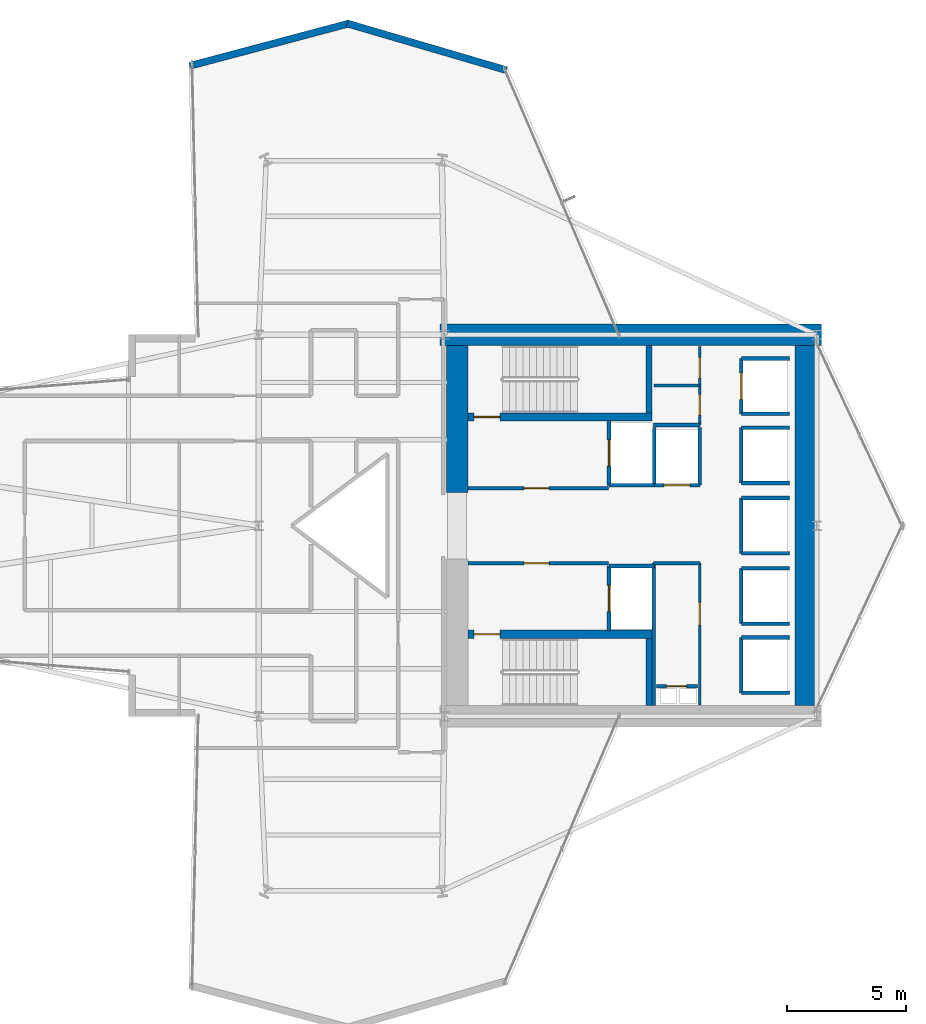
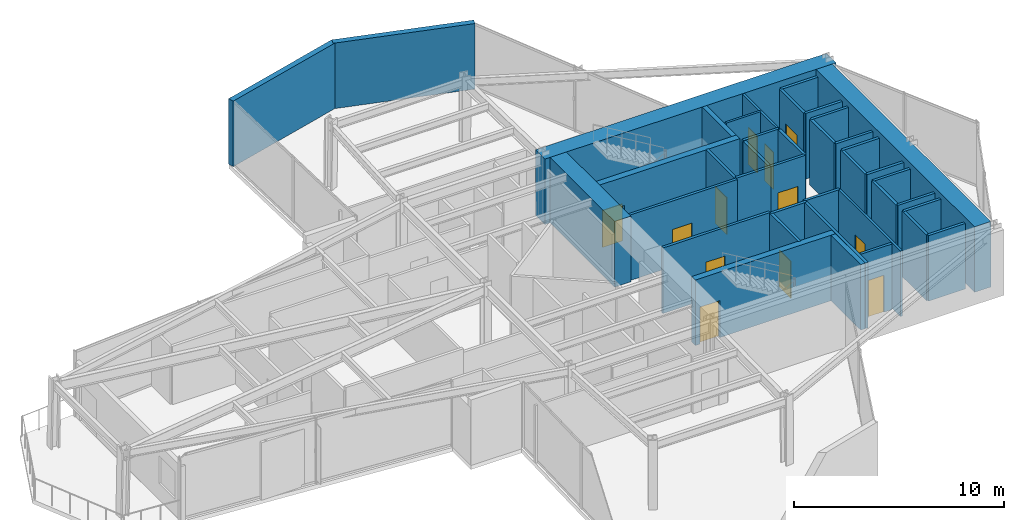
# One storey, part 24 of 27: 40 walls, 12 doors, 12 openings.
"""IFC4 building model written with IfcOpenShell, lengths in metres."""

from ifc_helpers import new_model, si_unit, direction, frame, frame_2d, origin, place, context, subcontext, project, spatial, rectangle, extrude, material, layer, layer_set, type_object, element, fill, save


model = new_model("IFC4")

# Units and contexts
model_context = context("Model", 3, precision=1e-05, world=origin(), true_north=direction((0.0, 1.0)))
body_context = subcontext(model_context, "Body", "Model", "MODEL_VIEW")
ifc_project = project(units=[si_unit("LENGTHUNIT", "METRE"), si_unit("AREAUNIT", "SQUARE_METRE"), si_unit("VOLUMEUNIT", "CUBIC_METRE"), si_unit("PLANEANGLEUNIT", "RADIAN"), si_unit("MASSUNIT", "GRAM", prefix="KILO")], contexts=[model_context])

# Site, building, storey
site_placement = place(None, origin())
site = spatial("IfcSite", under=ifc_project, at=site_placement, CompositionType="ELEMENT")
building_placement = place(site_placement, origin())
building = spatial("IfcBuilding", under=site, at=building_placement, Name="Veymaron Broadcast Tower", CompositionType="ELEMENT")
storey_placement = place(building_placement, frame((0.0, 0.0, 86.39990234375)))
storey = spatial("IfcBuildingStorey", under=building, at=storey_placement, Name="L19", CompositionType="ELEMENT", Elevation=86.39990234375)

# Walls
ifc_material_1 = material(Name="Precast concrete C40/50 with mineral-wool insulation", Category="concrete")
ifc_layer_1 = layer(ifc_material_1, 0.300048828125)
ifc_layer_set_1 = layer_set([ifc_layer_1], Name="Precast concrete C40/50 with mineral-wool insulation")
wall_type_1 = type_object("IfcWallType", Name="WALL-EXT-300", PredefinedType="STANDARD", material=ifc_layer_set_1)
wall_1_placement = place(storey_placement, frame((41.5947265625, 43.101806640625, 0.0), z_axis=(0.0, 0.0, 1.0), x_axis=(-0.959627564603, 0.281273776336, 0.0)))
element("IfcWall", 1, at=wall_1_placement, inside=storey, type_object=wall_type_1, Name="L19 notched corner facade pier 7-1", PredefinedType="STANDARD", context=body_context, shape_type="SweptSolid", body=[
    extrude(rectangle(XDim=6.961181640625, YDim=0.300048828125, at=frame_2d((3.48046875, 0.0))), origin(), (0.0, 0.0, 1.0), 3.81005859375),
])
wall_2_placement = place(storey_placement, frame((34.989990234375, 45.05859375, 0.0), z_axis=(0.0, 0.0, 1.0), x_axis=(-0.966292357614, -0.257447236569, 0.0)))
element("IfcWall", 2, at=wall_2_placement, inside=storey, type_object=wall_type_1, Name="L19 notched corner facade pier 8-1", PredefinedType="STANDARD", context=body_context, shape_type="SweptSolid", body=[
    extrude(rectangle(XDim=6.9130859375, YDim=0.300048828125, at=frame_2d((3.45654296875, 0.0))), origin(), (0.0, 0.0, 1.0), 3.81005859375),
])

# Wall, opening, door
ifc_material_2 = material(Name="Gypsum fireboard and steel stud framing", Category="steel")
ifc_layer_2 = layer(ifc_material_2, 0.14990234375)
ifc_layer_set_2 = layer_set([ifc_layer_2], Name="Gypsum fireboard and steel stud framing")
wall_type_2 = type_object("IfcWallType", Name="WALL-FIRE-150", PredefinedType="PARTITIONING", material=ifc_layer_set_2)
wall_3_placement = place(storey_placement, frame((39.97998046875, 25.574951171875, 0.0), z_axis=(0.0, 0.0, 1.0), x_axis=(1.0, 0.0, 0.0)))
wall_3 = element("IfcWall", 3, at=wall_3_placement, inside=storey, type_object=wall_type_2, Name="L19 partition IW-L19-FFLN-S", PredefinedType="PARTITIONING", context=body_context, shape_type="SweptSolid", body=[
    extrude(rectangle(XDim=5.89990234375, YDim=0.14990234375, at=frame_2d((2.949951171875, 0.0))), origin(), (0.0, 0.0, 1.0), 3.81005859375),
])
opening_1_placement = place(wall_3_placement, frame((2.35009765625, 0.0, 0.0)))
opening_1 = element("IfcOpeningElement", 4, at=opening_1_placement, cuts=wall_3, Name="Opening ID-FL1", PredefinedType="OPENING", context=body_context, shape_type="SweptSolid", body=[
    extrude(rectangle(XDim=1.050048828125, YDim=2.14990234375, at=frame_2d((0.52490234375, 1.074951171875))), frame((0.0, 0.0849609375, 0.0), z_axis=(0.0, -1.0, 0.0), x_axis=(1.0, 0.0, 0.0)), (0.0, 0.0, 1.0), 0.169921875),
])
ifc_material_3 = material(Name="Fire-rated painted hollow steel ASTM A653", Category="steel")
door_type_1 = type_object("IfcDoorType", Name="DOOR-FIRE-1050", OperationType="NOTDEFINED", PredefinedType="DOOR", material=ifc_material_3)
door_1_placement = place(opening_1_placement, origin())
door_1 = element("IfcDoor", 5, at=door_1_placement, inside=storey, type_object=door_type_1, Name="L19 door DR-L19-FFLN", OperationType="SINGLE_SWING_LEFT", OverallHeight=2.14990234375, OverallWidth=1.050048828125, PredefinedType="DOOR", context=body_context, shape_type="SweptSolid", body=[
    extrude(rectangle(XDim=1.050048828125, YDim=2.14990234375, at=frame_2d((0.52490234375, 1.074951171875))), frame((0.0, 0.02490234375, 0.0), z_axis=(0.0, -1.0, 0.0), x_axis=(1.0, 0.0, 0.0)), (0.0, 0.0, 1.0), 0.050048828125),
])
fill(opening_1, door_1)

wall_4_placement = place(storey_placement, frame((39.97998046875, 22.425048828125, 0.0), z_axis=(0.0, 0.0, 1.0), x_axis=(1.0, 0.0, 0.0)))
wall_4 = element("IfcWall", 6, at=wall_4_placement, inside=storey, type_object=wall_type_2, Name="L19 partition IW-L19-FFLS-N", PredefinedType="PARTITIONING", context=body_context, shape_type="SweptSolid", body=[
    extrude(rectangle(XDim=5.89990234375, YDim=0.14990234375, at=frame_2d((2.949951171875, 0.0))), origin(), (0.0, 0.0, 1.0), 3.81005859375),
])
opening_2_placement = place(wall_4_placement, frame((2.35009765625, 0.0, 0.0)))
opening_2 = element("IfcOpeningElement", 7, at=opening_2_placement, cuts=wall_4, Name="Opening ID-FL1", PredefinedType="OPENING", context=body_context, shape_type="SweptSolid", body=[
    extrude(rectangle(XDim=1.050048828125, YDim=2.14990234375, at=frame_2d((0.52490234375, 1.074951171875))), frame((0.0, 0.0849609375, 0.0), z_axis=(0.0, -1.0, 0.0), x_axis=(1.0, 0.0, 0.0)), (0.0, 0.0, 1.0), 0.169921875),
])
door_2_placement = place(opening_2_placement, frame((1.050048828125, 0.0, 0.0), z_axis=(0.0, 0.0, 1.0), x_axis=(-1.0, 0.0, 0.0)))
door_2 = element("IfcDoor", 8, at=door_2_placement, inside=storey, type_object=door_type_1, Name="L19 door DR-L19-FFLS", OperationType="SINGLE_SWING_RIGHT", OverallHeight=2.14990234375, OverallWidth=1.050048828125, PredefinedType="DOOR", context=body_context, shape_type="SweptSolid", body=[
    extrude(rectangle(XDim=1.050048828125, YDim=2.14990234375, at=frame_2d((0.52490234375, 1.074951171875))), frame((0.0, 0.02490234375, 0.0), z_axis=(0.0, -1.0, 0.0), x_axis=(1.0, 0.0, 0.0)), (0.0, 0.0, 1.0), 0.050048828125),
])
fill(opening_2, door_2)

wall_5_placement = place(storey_placement, frame((45.89501953125, 25.68994140625, 0.0), z_axis=(0.0, 0.0, 1.0), x_axis=(0.0, 1.0, 0.0)))
wall_5 = element("IfcWall", 9, at=wall_5_placement, inside=storey, type_object=wall_type_2, Name="L19 partition IW-L19-SHW-FFL-1", PredefinedType="PARTITIONING", context=body_context, shape_type="SweptSolid", body=[
    extrude(rectangle(XDim=2.719970703125, YDim=0.14990234375, at=frame_2d((1.35986328125, 0.0))), origin(), (0.0, 0.0, 1.0), 3.81005859375),
])
opening_3_placement = place(wall_5_placement, frame((0.81005859375, 0.0, 0.0)))
opening_3 = element("IfcOpeningElement", 10, at=opening_3_placement, cuts=wall_5, Name="Opening LD", PredefinedType="OPENING", context=body_context, shape_type="SweptSolid", body=[
    extrude(rectangle(XDim=1.10009765625, YDim=2.14990234375, at=frame_2d((0.550048828125, 1.074951171875))), frame((0.0, 0.0849609375, 0.0), z_axis=(0.0, -1.0, 0.0), x_axis=(1.0, 0.0, 0.0)), (0.0, 0.0, 1.0), 0.169921875),
])
ifc_material_4 = material(Name="Brushed stainless steel AISI 304", Category="steel")
door_type_2 = type_object("IfcDoorType", Name="DOOR-LIFT-1100", OperationType="DOUBLE_DOOR_SLIDING", PredefinedType="DOOR", material=ifc_material_4)
door_3_placement = place(opening_3_placement, frame((1.10009765625, 0.0, 0.0), z_axis=(0.0, 0.0, 1.0), x_axis=(-1.0, 0.0, 0.0)))
door_3 = element("IfcDoor", 11, at=door_3_placement, inside=storey, type_object=door_type_2, Name="L19 door LD-L19-FFL-1", OperationType="DOUBLE_DOOR_SLIDING", OverallHeight=2.14990234375, OverallWidth=1.10009765625, PredefinedType="DOOR", context=body_context, shape_type="SweptSolid", body=[
    extrude(rectangle(XDim=1.10009765625, YDim=2.14990234375, at=frame_2d((0.550048828125, 1.074951171875))), frame((0.0, 0.02490234375, 0.0), z_axis=(0.0, -1.0, 0.0), x_axis=(1.0, 0.0, 0.0)), (0.0, 0.0, 1.0), 0.050048828125),
])
fill(opening_3, door_3)

# Wall
wall_6_placement = place(storey_placement, frame((45.89501953125, 25.68994140625, 0.0), z_axis=(0.0, 0.0, 1.0), x_axis=(1.0, 0.0, 0.0)))
element("IfcWall", 12, at=wall_6_placement, inside=storey, type_object=wall_type_2, Name="L19 partition IW-L19-SHS-FFL-1", PredefinedType="PARTITIONING", context=body_context, shape_type="SweptSolid", body=[
    extrude(rectangle(XDim=1.9150390625, YDim=0.14990234375, at=frame_2d((0.95751953125, 0.0))), origin(), (0.0, 0.0, 1.0), 3.81005859375),
])

# Wall, opening, door
wall_7_placement = place(storey_placement, frame((45.89501953125, 19.590087890625, 0.0), z_axis=(0.0, 0.0, 1.0), x_axis=(0.0, 1.0, 0.0)))
wall_7 = element("IfcWall", 13, at=wall_7_placement, inside=storey, type_object=wall_type_2, Name="L19 partition IW-L19-SHW-FFL-2", PredefinedType="PARTITIONING", context=body_context, shape_type="SweptSolid", body=[
    extrude(rectangle(XDim=2.719970703125, YDim=0.14990234375, at=frame_2d((1.35986328125, 0.0))), origin(), (0.0, 0.0, 1.0), 3.81005859375),
])
opening_4_placement = place(wall_7_placement, frame((0.81005859375, 0.0, 0.0)))
opening_4 = element("IfcOpeningElement", 14, at=opening_4_placement, cuts=wall_7, Name="Opening LD", PredefinedType="OPENING", context=body_context, shape_type="SweptSolid", body=[
    extrude(rectangle(XDim=1.10009765625, YDim=2.14990234375, at=frame_2d((0.550048828125, 1.074951171875))), frame((0.0, 0.0849609375, 0.0), z_axis=(0.0, -1.0, 0.0), x_axis=(1.0, 0.0, 0.0)), (0.0, 0.0, 1.0), 0.169921875),
])
door_4_placement = place(opening_4_placement, frame((1.10009765625, 0.0, 0.0), z_axis=(0.0, 0.0, 1.0), x_axis=(-1.0, 0.0, 0.0)))
door_4 = element("IfcDoor", 15, at=door_4_placement, inside=storey, type_object=door_type_2, Name="L19 door LD-L19-FFL-2", OperationType="DOUBLE_DOOR_SLIDING", OverallHeight=2.14990234375, OverallWidth=1.10009765625, PredefinedType="DOOR", context=body_context, shape_type="SweptSolid", body=[
    extrude(rectangle(XDim=1.10009765625, YDim=2.14990234375, at=frame_2d((0.550048828125, 1.074951171875))), frame((0.0, 0.02490234375, 0.0), z_axis=(0.0, -1.0, 0.0), x_axis=(1.0, 0.0, 0.0)), (0.0, 0.0, 1.0), 0.050048828125),
])
fill(opening_4, door_4)

# Wall
wall_8_placement = place(storey_placement, frame((45.89501953125, 22.31005859375, 0.0), z_axis=(0.0, 0.0, 1.0), x_axis=(1.0, 0.0, 0.0)))
element("IfcWall", 16, at=wall_8_placement, inside=storey, type_object=wall_type_2, Name="L19 partition IW-L19-SHN-FFL-2", PredefinedType="PARTITIONING", context=body_context, shape_type="SweptSolid", body=[
    extrude(rectangle(XDim=1.9150390625, YDim=0.14990234375, at=frame_2d((0.95751953125, 0.0))), origin(), (0.0, 0.0, 1.0), 3.81005859375),
])

# Wall, opening, door
wall_9_placement = place(storey_placement, frame((47.7900390625, 25.695068359375, 0.0), z_axis=(0.0, 0.0, 1.0), x_axis=(1.0, 0.0, 0.0)))
wall_9 = element("IfcWall", 17, at=wall_9_placement, inside=storey, type_object=wall_type_2, Name="L19 partition IW-L19-SHS-SL-1", PredefinedType="PARTITIONING", context=body_context, shape_type="SweptSolid", body=[
    extrude(rectangle(XDim=1.919921875, YDim=0.14990234375, at=frame_2d((0.9599609375, 0.0))), origin(), (0.0, 0.0, 1.0), 3.81005859375),
])
opening_5_placement = place(wall_9_placement, frame((0.409912109375, 0.0, 0.0)))
opening_5 = element("IfcOpeningElement", 18, at=opening_5_placement, cuts=wall_9, Name="Opening LD", PredefinedType="OPENING", context=body_context, shape_type="SweptSolid", body=[
    extrude(rectangle(XDim=1.10009765625, YDim=2.14990234375, at=frame_2d((0.550048828125, 1.074951171875))), frame((0.0, 0.0849609375, 0.0), z_axis=(0.0, -1.0, 0.0), x_axis=(1.0, 0.0, 0.0)), (0.0, 0.0, 1.0), 0.169921875),
])
door_5_placement = place(opening_5_placement, frame((1.10009765625, 0.0, 0.0), z_axis=(0.0, 0.0, 1.0), x_axis=(-1.0, 0.0, 0.0)))
door_5 = element("IfcDoor", 19, at=door_5_placement, inside=storey, type_object=door_type_2, Name="L19 door LD-L19-SL-1", OperationType="DOUBLE_DOOR_SLIDING", OverallHeight=2.14990234375, OverallWidth=1.10009765625, PredefinedType="DOOR", context=body_context, shape_type="SweptSolid", body=[
    extrude(rectangle(XDim=1.10009765625, YDim=2.14990234375, at=frame_2d((0.550048828125, 1.074951171875))), frame((0.0, 0.02490234375, 0.0), z_axis=(0.0, -1.0, 0.0), x_axis=(1.0, 0.0, 0.0)), (0.0, 0.0, 1.0), 0.050048828125),
])
fill(opening_5, door_5)

# Walls
for number, where, z_axis, x_axis, name in (
    (20, (47.7900390625, 25.695068359375, 0.0), (0.0, 0.0, 1.0), (0.0, 1.0, 0.0), "L19 partition IW-L19-SHW-SL-1"),
    (21, (49.7099609375, 25.695068359375, 0.0), (0.0, 0.0, 1.0), (0.0, 1.0, 0.0), "L19 partition IW-L19-SHE-SL-1"),
):
    element("IfcWall", number, at=place(storey_placement, frame(where, z_axis=z_axis, x_axis=x_axis)), inside=storey, type_object=wall_type_2, Name=name, PredefinedType="PARTITIONING", context=body_context, shape_type="SweptSolid", body=[
        extrude(rectangle(XDim=2.4150390625, YDim=0.14990234375, at=frame_2d((1.20751953125, 0.0))), origin(), (0.0, 0.0, 1.0), 3.81005859375),
    ])

# Wall, opening, door
wall_10_placement = place(storey_placement, frame((51.445068359375, 28.68994140625, 0.0), z_axis=(0.0, 0.0, 1.0), x_axis=(0.0, 1.0, 0.0)))
wall_10 = element("IfcWall", 22, at=wall_10_placement, inside=storey, type_object=wall_type_2, Name="L19 partition IW-L19-SHW-PL1", PredefinedType="PARTITIONING", context=body_context, shape_type="SweptSolid", body=[
    extrude(rectangle(XDim=2.320068359375, YDim=0.14990234375, at=frame_2d((1.16015625, 0.0))), origin(), (0.0, 0.0, 1.0), 3.81005859375),
])
opening_6_placement = place(wall_10_placement, frame((0.610107421875, 0.0, 0.0)))
opening_6 = element("IfcOpeningElement", 23, at=opening_6_placement, cuts=wall_10, Name="Opening LD", PredefinedType="OPENING", context=body_context, shape_type="SweptSolid", body=[
    extrude(rectangle(XDim=1.10009765625, YDim=2.14990234375, at=frame_2d((0.550048828125, 1.074951171875))), frame((0.0, 0.0849609375, 0.0), z_axis=(0.0, -1.0, 0.0), x_axis=(1.0, 0.0, 0.0)), (0.0, 0.0, 1.0), 0.169921875),
])
door_6_placement = place(opening_6_placement, frame((1.10009765625, 0.0, 0.0), z_axis=(0.0, 0.0, 1.0), x_axis=(-1.0, 0.0, 0.0)))
door_6 = element("IfcDoor", 24, at=door_6_placement, inside=storey, type_object=door_type_2, Name="L19 door LD-L19-PL1", OperationType="DOUBLE_DOOR_SLIDING", OverallHeight=2.14990234375, OverallWidth=1.10009765625, PredefinedType="DOOR", context=body_context, shape_type="SweptSolid", body=[
    extrude(rectangle(XDim=1.10009765625, YDim=2.14990234375, at=frame_2d((0.550048828125, 1.074951171875))), frame((0.0, 0.02490234375, 0.0), z_axis=(0.0, -1.0, 0.0), x_axis=(1.0, 0.0, 0.0)), (0.0, 0.0, 1.0), 0.050048828125),
])
fill(opening_6, door_6)

# Walls
for number, where, z_axis, x_axis, name in (
    (25, (51.445068359375, 28.68994140625, 0.0), (0.0, 0.0, 1.0), (1.0, 0.0, 0.0), "L19 partition IW-L19-SHS-PL1"),
    (26, (51.445068359375, 31.010009765625, 0.0), (0.0, 0.0, 1.0), (1.0, 0.0, 0.0), "L19 partition IW-L19-SHN-PL1"),
):
    element("IfcWall", number, at=place(storey_placement, frame(where, z_axis=z_axis, x_axis=x_axis)), inside=storey, type_object=wall_type_2, Name=name, PredefinedType="PARTITIONING", context=body_context, shape_type="SweptSolid", body=[
        extrude(rectangle(XDim=2.014892578125, YDim=0.14990234375, at=frame_2d((1.00732421875, 0.0))), origin(), (0.0, 0.0, 1.0), 3.81005859375),
    ])
wall_11_placement = place(storey_placement, frame((51.445068359375, 25.7900390625, 0.0), z_axis=(0.0, 0.0, 1.0), x_axis=(0.0, 1.0, 0.0)))
element("IfcWall", 27, at=wall_11_placement, inside=storey, type_object=wall_type_2, Name="L19 partition IW-L19-SHW-PM1", PredefinedType="PARTITIONING", context=body_context, shape_type="SweptSolid", body=[
    extrude(rectangle(XDim=2.320068359375, YDim=0.14990234375, at=frame_2d((1.16015625, 0.0))), origin(), (0.0, 0.0, 1.0), 3.81005859375),
])
for number, where, z_axis, x_axis, name in (
    (28, (51.445068359375, 25.7900390625, 0.0), (0.0, 0.0, 1.0), (1.0, 0.0, 0.0), "L19 partition IW-L19-SHS-PM1"),
    (29, (51.445068359375, 28.110107421875, 0.0), (0.0, 0.0, 1.0), (1.0, 0.0, 0.0), "L19 partition IW-L19-SHN-PM1"),
):
    element("IfcWall", number, at=place(storey_placement, frame(where, z_axis=z_axis, x_axis=x_axis)), inside=storey, type_object=wall_type_2, Name=name, PredefinedType="PARTITIONING", context=body_context, shape_type="SweptSolid", body=[
        extrude(rectangle(XDim=2.014892578125, YDim=0.14990234375, at=frame_2d((1.00732421875, 0.0))), origin(), (0.0, 0.0, 1.0), 3.81005859375),
    ])
wall_12_placement = place(storey_placement, frame((51.445068359375, 19.889892578125, 0.0), z_axis=(0.0, 0.0, 1.0), x_axis=(0.0, 1.0, 0.0)))
element("IfcWall", 30, at=wall_12_placement, inside=storey, type_object=wall_type_2, Name="L19 partition IW-L19-SHW-PM2", PredefinedType="PARTITIONING", context=body_context, shape_type="SweptSolid", body=[
    extrude(rectangle(XDim=2.320068359375, YDim=0.14990234375, at=frame_2d((1.16015625, 0.0))), origin(), (0.0, 0.0, 1.0), 3.81005859375),
])
for number, where, z_axis, x_axis, name in (
    (31, (51.445068359375, 19.889892578125, 0.0), (0.0, 0.0, 1.0), (1.0, 0.0, 0.0), "L19 partition IW-L19-SHS-PM2"),
    (32, (51.445068359375, 22.2099609375, 0.0), (0.0, 0.0, 1.0), (1.0, 0.0, 0.0), "L19 partition IW-L19-SHN-PM2"),
):
    element("IfcWall", number, at=place(storey_placement, frame(where, z_axis=z_axis, x_axis=x_axis)), inside=storey, type_object=wall_type_2, Name=name, PredefinedType="PARTITIONING", context=body_context, shape_type="SweptSolid", body=[
        extrude(rectangle(XDim=2.014892578125, YDim=0.14990234375, at=frame_2d((1.00732421875, 0.0))), origin(), (0.0, 0.0, 1.0), 3.81005859375),
    ])
wall_13_placement = place(storey_placement, frame((51.445068359375, 22.840087890625, 0.0), z_axis=(0.0, 0.0, 1.0), x_axis=(0.0, 1.0, 0.0)))
element("IfcWall", 33, at=wall_13_placement, inside=storey, type_object=wall_type_2, Name="L19 partition IW-L19-SHW-PM3", PredefinedType="PARTITIONING", context=body_context, shape_type="SweptSolid", body=[
    extrude(rectangle(XDim=2.31982421875, YDim=0.14990234375, at=frame_2d((1.159912109375, 0.0))), origin(), (0.0, 0.0, 1.0), 3.81005859375),
])
for number, where, z_axis, x_axis, name in (
    (34, (51.445068359375, 22.840087890625, 0.0), (0.0, 0.0, 1.0), (1.0, 0.0, 0.0), "L19 partition IW-L19-SHS-PM3"),
    (35, (51.445068359375, 25.159912109375, 0.0), (0.0, 0.0, 1.0), (1.0, 0.0, 0.0), "L19 partition IW-L19-SHN-PM3"),
):
    element("IfcWall", number, at=place(storey_placement, frame(where, z_axis=z_axis, x_axis=x_axis)), inside=storey, type_object=wall_type_2, Name=name, PredefinedType="PARTITIONING", context=body_context, shape_type="SweptSolid", body=[
        extrude(rectangle(XDim=2.014892578125, YDim=0.14990234375, at=frame_2d((1.00732421875, 0.0))), origin(), (0.0, 0.0, 1.0), 3.81005859375),
    ])
wall_14_placement = place(storey_placement, frame((51.445068359375, 16.989990234375, 0.0), z_axis=(0.0, 0.0, 1.0), x_axis=(0.0, 1.0, 0.0)))
element("IfcWall", 36, at=wall_14_placement, inside=storey, type_object=wall_type_2, Name="L19 partition IW-L19-SHW-PH1", PredefinedType="PARTITIONING", context=body_context, shape_type="SweptSolid", body=[
    extrude(rectangle(XDim=2.320068359375, YDim=0.14990234375, at=frame_2d((1.16015625, 0.0))), origin(), (0.0, 0.0, 1.0), 3.81005859375),
])
for number, where, z_axis, x_axis, name in (
    (37, (51.445068359375, 16.989990234375, 0.0), (0.0, 0.0, 1.0), (1.0, 0.0, 0.0), "L19 partition IW-L19-SHS-PH1"),
    (38, (51.445068359375, 19.31005859375, 0.0), (0.0, 0.0, 1.0), (1.0, 0.0, 0.0), "L19 partition IW-L19-SHN-PH1"),
):
    element("IfcWall", number, at=place(storey_placement, frame(where, z_axis=z_axis, x_axis=x_axis)), inside=storey, type_object=wall_type_2, Name=name, PredefinedType="PARTITIONING", context=body_context, shape_type="SweptSolid", body=[
        extrude(rectangle(XDim=2.014892578125, YDim=0.14990234375, at=frame_2d((1.00732421875, 0.0))), origin(), (0.0, 0.0, 1.0), 3.81005859375),
    ])

# Wall, opening, door
wall_15_placement = place(storey_placement, frame((47.8798828125, 17.260009765625, 0.0), z_axis=(0.0, 0.0, 1.0), x_axis=(1.0, 0.0, 0.0)))
wall_15 = element("IfcWall", 39, at=wall_15_placement, inside=storey, type_object=wall_type_2, Name="L19 partition IW-L19-RIS-N", PredefinedType="PARTITIONING", context=body_context, shape_type="SweptSolid", body=[
    extrude(rectangle(XDim=1.72021484375, YDim=0.14990234375, at=frame_2d((0.860107421875, 0.0))), origin(), (0.0, 0.0, 1.0), 3.81005859375),
])
opening_7_placement = place(wall_15_placement, frame((0.419921875, 0.0, 0.0)))
opening_7 = element("IfcOpeningElement", 40, at=opening_7_placement, cuts=wall_15, Name="Opening ID-RS1", PredefinedType="OPENING", context=body_context, shape_type="SweptSolid", body=[
    extrude(rectangle(XDim=0.85009765625, YDim=2.14990234375, at=frame_2d((0.425048828125, 1.074951171875))), frame((0.0, 0.0849609375, 0.0), z_axis=(0.0, -1.0, 0.0), x_axis=(1.0, 0.0, 0.0)), (0.0, 0.0, 1.0), 0.169921875),
])
ifc_material_5 = material(Name="Fire-rated powder-coated steel riser leaf", Category="steel")
door_type_3 = type_object("IfcDoorType", Name="DOOR-RIS-850", OperationType="NOTDEFINED", PredefinedType="TRAPDOOR", material=ifc_material_5)
door_7_placement = place(opening_7_placement, origin())
door_7 = element("IfcDoor", 41, at=door_7_placement, inside=storey, type_object=door_type_3, Name="L19 door DR-L19-RIS", OperationType="SINGLE_SWING_LEFT", OverallHeight=2.14990234375, OverallWidth=0.85009765625, PredefinedType="TRAPDOOR", context=body_context, shape_type="SweptSolid", body=[
    extrude(rectangle(XDim=0.85009765625, YDim=2.14990234375, at=frame_2d((0.425048828125, 1.074951171875))), frame((0.0, 0.02490234375, 0.0), z_axis=(0.0, -1.0, 0.0), x_axis=(1.0, 0.0, 0.0)), (0.0, 0.0, 1.0), 0.050048828125),
])
fill(opening_7, door_7)

# Walls
wall_16_placement = place(storey_placement, frame((47.760009765625, 22.425048828125, 0.0), z_axis=(0.0, 0.0, 1.0), x_axis=(1.0, 0.0, 0.0)))
element("IfcWall", 42, at=wall_16_placement, inside=storey, type_object=wall_type_2, Name="L19 partition IW-L19-SM-N", PredefinedType="PARTITIONING", context=body_context, shape_type="SweptSolid", body=[
    extrude(rectangle(XDim=1.9599609375, YDim=0.14990234375, at=frame_2d((0.97998046875, 0.0))), origin(), (0.0, 0.0, 1.0), 3.81005859375),
])
wall_17_placement = place(storey_placement, frame((47.780029296875, 16.449951171875, 0.0), z_axis=(0.0, 0.0, 1.0), x_axis=(0.0, 1.0, 0.0)))
element("IfcWall", 43, at=wall_17_placement, inside=storey, type_object=wall_type_2, Name="L19 partition IW-L19-SM-W", PredefinedType="PARTITIONING", context=body_context, shape_type="SweptSolid", body=[
    extrude(rectangle(XDim=5.97509765625, YDim=0.14990234375, at=frame_2d((2.987548828125, 0.0))), origin(), (0.0, 0.0, 1.0), 3.81005859375),
])
wall_18_placement = place(storey_placement, frame((47.760009765625, 28.219970703125, 0.0), z_axis=(0.0, 0.0, 1.0), x_axis=(1.0, 0.0, 0.0)))
element("IfcWall", 44, at=wall_18_placement, inside=storey, type_object=wall_type_2, Name="L19 partition IW-L19-NM-S", PredefinedType="PARTITIONING", context=body_context, shape_type="SweptSolid", body=[
    extrude(rectangle(XDim=1.9599609375, YDim=0.14990234375, at=frame_2d((0.97998046875, 0.0))), origin(), (0.0, 0.0, 1.0), 3.81005859375),
])

# Wall, opening, door
ifc_material_6 = material(Name="Acoustic gypsum board and galvanized stud", Category="gypsum")
ifc_layer_3 = layer(ifc_material_6, 0.1201171875)
ifc_layer_set_3 = layer_set([ifc_layer_3], Name="Acoustic gypsum board and galvanized stud")
wall_type_3 = type_object("IfcWallType", Name="WALL-PART-120", PredefinedType="PARTITIONING", material=ifc_layer_set_3)
wall_19_placement = place(storey_placement, frame((49.699951171875, 16.47998046875, 0.0), z_axis=(0.0, 0.0, 1.0), x_axis=(0.0, 1.0, 0.0)))
wall_19 = element("IfcWall", 45, at=wall_19_placement, inside=storey, type_object=wall_type_3, Name="L19 partition IW-L19-SM-E", PredefinedType="PARTITIONING", context=body_context, shape_type="SweptSolid", body=[
    extrude(rectangle(XDim=5.945068359375, YDim=0.1201171875, at=frame_2d((2.97265625, 0.0))), origin(), (0.0, 0.0, 1.0), 3.81005859375),
])
opening_8_placement = place(wall_19_placement, frame((3.35009765625, 0.0, 0.0)))
opening_8 = element("IfcOpeningElement", 46, at=opening_8_placement, cuts=wall_19, Name="Opening ID-RM1", PredefinedType="OPENING", context=body_context, shape_type="SweptSolid", body=[
    extrude(rectangle(XDim=0.949951171875, YDim=2.14990234375, at=frame_2d((0.47509765625, 1.074951171875))), frame((0.0, 0.070068359375, 0.0), z_axis=(0.0, -1.0, 0.0), x_axis=(1.0, 0.0, 0.0)), (0.0, 0.0, 1.0), 0.14013671875),
])
ifc_material_7 = material(Name="Acoustic solid-core European oak veneer timber", Category="wood")
door_type_4 = type_object("IfcDoorType", Name="DOOR-INT-950", OperationType="NOTDEFINED", PredefinedType="DOOR", material=ifc_material_7)
door_8_placement = place(opening_8_placement, frame((0.949951171875, 0.0, 0.0), z_axis=(0.0, 0.0, 1.0), x_axis=(-1.0, 0.0, 0.0)))
door_8 = element("IfcDoor", 47, at=door_8_placement, inside=storey, type_object=door_type_4, Name="L19 door DR-L19-AWC", OperationType="SINGLE_SWING_LEFT", OverallHeight=2.14990234375, OverallWidth=0.949951171875, PredefinedType="DOOR", context=body_context, shape_type="SweptSolid", body=[
    extrude(rectangle(XDim=0.949951171875, YDim=2.14990234375, at=frame_2d((0.47509765625, 1.074951171875))), frame((0.0, 0.02490234375, 0.0), z_axis=(0.0, -1.0, 0.0), x_axis=(1.0, 0.0, 0.0)), (0.0, 0.0, 1.0), 0.050048828125),
])
fill(opening_8, door_8)

# Wall
wall_20_placement = place(storey_placement, frame((47.780029296875, 29.8798828125, 0.0), z_axis=(0.0, 0.0, 1.0), x_axis=(1.0, 0.0, 0.0)))
element("IfcWall", 48, at=wall_20_placement, inside=storey, type_object=wall_type_3, Name="L19 partition IW-L19-NM-M", PredefinedType="PARTITIONING", context=body_context, shape_type="SweptSolid", body=[
    extrude(rectangle(XDim=1.919921875, YDim=0.1201171875, at=frame_2d((0.9599609375, 0.0))), origin(), (0.0, 0.0, 1.0), 3.81005859375),
])

# Wall, openings, doors
wall_21_placement = place(storey_placement, frame((49.699951171875, 28.219970703125, 0.0), z_axis=(0.0, 0.0, 1.0), x_axis=(0.0, 1.0, 0.0)))
wall_21 = element("IfcWall", 49, at=wall_21_placement, inside=storey, type_object=wall_type_3, Name="L19 partition IW-L19-NM-E", PredefinedType="PARTITIONING", context=body_context, shape_type="SweptSolid", body=[
    extrude(rectangle(XDim=3.300048828125, YDim=0.1201171875, at=frame_2d((1.64990234375, 0.0))), origin(), (0.0, 0.0, 1.0), 3.81005859375),
])
opening_9_placement = place(wall_21_placement, frame((0.419921875, 0.0, 0.0)))
opening_9 = element("IfcOpeningElement", 50, at=opening_9_placement, cuts=wall_21, Name="Opening ID-WC1", PredefinedType="OPENING", context=body_context, shape_type="SweptSolid", body=[
    extrude(rectangle(XDim=0.85009765625, YDim=2.14990234375, at=frame_2d((0.425048828125, 1.074951171875))), frame((0.0, 0.070068359375, 0.0), z_axis=(0.0, -1.0, 0.0), x_axis=(1.0, 0.0, 0.0)), (0.0, 0.0, 1.0), 0.14013671875),
])
opening_10_placement = place(wall_21_placement, frame((1.97998046875, 0.0, 0.0)))
opening_10 = element("IfcOpeningElement", 51, at=opening_10_placement, cuts=wall_21, Name="Opening ID-WC1", PredefinedType="OPENING", context=body_context, shape_type="SweptSolid", body=[
    extrude(rectangle(XDim=0.85009765625, YDim=2.14990234375, at=frame_2d((0.425048828125, 1.074951171875))), frame((0.0, 0.070068359375, 0.0), z_axis=(0.0, -1.0, 0.0), x_axis=(1.0, 0.0, 0.0)), (0.0, 0.0, 1.0), 0.14013671875),
])
ifc_material_8 = material(Name="Moisture-resistant high-pressure laminate timber", Category="wood")
door_type_5 = type_object("IfcDoorType", Name="DOOR-INT-850", OperationType="NOTDEFINED", PredefinedType="DOOR", material=ifc_material_8)
door_9_placement = place(opening_9_placement, frame((0.85009765625, 0.0, 0.0), z_axis=(0.0, 0.0, 1.0), x_axis=(-1.0, 0.0, 0.0)))
door_9 = element("IfcDoor", 52, at=door_9_placement, inside=storey, type_object=door_type_5, Name="L19 door DR-L19-NMA", OperationType="SINGLE_SWING_LEFT", OverallHeight=2.14990234375, OverallWidth=0.85009765625, PredefinedType="DOOR", context=body_context, shape_type="SweptSolid", body=[
    extrude(rectangle(XDim=0.85009765625, YDim=2.14990234375, at=frame_2d((0.425048828125, 1.074951171875))), frame((0.0, 0.02490234375, 0.0), z_axis=(0.0, -1.0, 0.0), x_axis=(1.0, 0.0, 0.0)), (0.0, 0.0, 1.0), 0.050048828125),
])
fill(opening_9, door_9)
door_10_placement = place(opening_10_placement, frame((0.85009765625, 0.0, 0.0), z_axis=(0.0, 0.0, 1.0), x_axis=(-1.0, 0.0, 0.0)))
door_10 = element("IfcDoor", 53, at=door_10_placement, inside=storey, type_object=door_type_5, Name="L19 door DR-L19-NMB", OperationType="SINGLE_SWING_RIGHT", OverallHeight=2.14990234375, OverallWidth=0.85009765625, PredefinedType="DOOR", context=body_context, shape_type="SweptSolid", body=[
    extrude(rectangle(XDim=0.85009765625, YDim=2.14990234375, at=frame_2d((0.425048828125, 1.074951171875))), frame((0.0, 0.02490234375, 0.0), z_axis=(0.0, -1.0, 0.0), x_axis=(1.0, 0.0, 0.0)), (0.0, 0.0, 1.0), 0.050048828125),
])
fill(opening_10, door_10)

# Walls
ifc_material_9 = material(Name="Concrete C50/60", Category="concrete")
ifc_layer_4 = layer(ifc_material_9, 0.25)
ifc_layer_set_4 = layer_set([ifc_layer_4], Name="Concrete C50/60")
wall_type_4 = type_object("IfcWallType", Name="WALL-SHEAR-250", PredefinedType="SHEAR", material=ifc_layer_set_4)
for number, where, z_axis, x_axis, name in (
    (54, (47.56494140625, 28.72998046875, 0.0), (0.0, 0.0, 1.0), (0.0, 1.0, 0.0), "L19 Core Wall north stair east shear"),
    (55, (47.56494140625, 16.449951171875, 0.0), (0.0, 0.0, 1.0), (0.0, 1.0, 0.0), "L19 Core Wall south stair east shear"),
):
    element("IfcWall", number, at=place(storey_placement, frame(where, z_axis=z_axis, x_axis=x_axis)), inside=storey, type_object=wall_type_4, Name=name, PredefinedType="SHEAR", context=body_context, shape_type="SweptSolid", body=[
        extrude(rectangle(XDim=2.820068359375, YDim=0.25, at=frame_2d((1.41015625, 0.0))), origin(), (0.0, 0.0, 1.0), 3.81005859375),
    ])

# Wall, opening, door
ifc_layer_5 = layer(ifc_material_9, 0.35009765625)
ifc_layer_set_5 = layer_set([ifc_layer_5], Name="Concrete C50/60")
wall_type_5 = type_object("IfcWallType", Name="WALL-SHEAR-350", PredefinedType="SHEAR", material=ifc_layer_set_5)
wall_22_placement = place(storey_placement, frame((39.97998046875, 28.554931640625, 0.0), z_axis=(0.0, 0.0, 1.0), x_axis=(1.0, 0.0, 0.0)))
wall_22 = element("IfcWall", 56, at=wall_22_placement, inside=storey, type_object=wall_type_5, Name="L19 Core Wall north stair spine", PredefinedType="SHEAR", context=body_context, shape_type="SweptSolid", body=[
    extrude(rectangle(XDim=7.7099609375, YDim=0.35009765625, at=frame_2d((3.85498046875, 0.0))), origin(), (0.0, 0.0, 1.0), 3.81005859375),
])
opening_11_placement = place(wall_22_placement, frame((0.25, 0.0, 0.0)))
opening_11 = element("IfcOpeningElement", 57, at=opening_11_placement, cuts=wall_22, Name="Opening ID-ST1", PredefinedType="OPENING", context=body_context, shape_type="SweptSolid", body=[
    extrude(rectangle(XDim=1.10009765625, YDim=2.14990234375, at=frame_2d((0.550048828125, 1.074951171875))), frame((0.0, 0.18505859375, 0.0), z_axis=(0.0, -1.0, 0.0), x_axis=(1.0, 0.0, 0.0)), (0.0, 0.0, 1.0), 0.3701171875),
])
door_type_6 = type_object("IfcDoorType", Name="DOOR-STAIR-1100", OperationType="NOTDEFINED", PredefinedType="DOOR", material=ifc_material_3)
door_11_placement = place(opening_11_placement, origin())
door_11 = element("IfcDoor", 58, at=door_11_placement, inside=storey, type_object=door_type_6, Name="L19 exit stair ST1 fire door", OperationType="SINGLE_SWING_RIGHT", OverallHeight=2.14990234375, OverallWidth=1.10009765625, PredefinedType="DOOR", context=body_context, shape_type="SweptSolid", body=[
    extrude(rectangle(XDim=1.10009765625, YDim=2.14990234375, at=frame_2d((0.550048828125, 1.074951171875))), frame((0.0, 0.02490234375, 0.0), z_axis=(0.0, -1.0, 0.0), x_axis=(1.0, 0.0, 0.0)), (0.0, 0.0, 1.0), 0.050048828125),
])
fill(opening_11, door_11)

wall_23_placement = place(storey_placement, frame((39.97998046875, 19.445068359375, 0.0), z_axis=(0.0, 0.0, 1.0), x_axis=(1.0, 0.0, 0.0)))
wall_23 = element("IfcWall", 59, at=wall_23_placement, inside=storey, type_object=wall_type_5, Name="L19 Core Wall south stair spine", PredefinedType="SHEAR", context=body_context, shape_type="SweptSolid", body=[
    extrude(rectangle(XDim=7.7099609375, YDim=0.35009765625, at=frame_2d((3.85498046875, 0.0))), origin(), (0.0, 0.0, 1.0), 3.81005859375),
])
opening_12_placement = place(wall_23_placement, frame((0.25, 0.0, 0.0)))
opening_12 = element("IfcOpeningElement", 60, at=opening_12_placement, cuts=wall_23, Name="Opening ID-ST1", PredefinedType="OPENING", context=body_context, shape_type="SweptSolid", body=[
    extrude(rectangle(XDim=1.10009765625, YDim=2.14990234375, at=frame_2d((0.550048828125, 1.074951171875))), frame((0.0, 0.18505859375, 0.0), z_axis=(0.0, -1.0, 0.0), x_axis=(1.0, 0.0, 0.0)), (0.0, 0.0, 1.0), 0.3701171875),
])
door_12_placement = place(opening_12_placement, frame((1.10009765625, 0.0, 0.0), z_axis=(0.0, 0.0, 1.0), x_axis=(-1.0, 0.0, 0.0)))
door_12 = element("IfcDoor", 61, at=door_12_placement, inside=storey, type_object=door_type_6, Name="L19 exit stair ST2 fire door", OperationType="SINGLE_SWING_LEFT", OverallHeight=2.14990234375, OverallWidth=1.10009765625, PredefinedType="DOOR", context=body_context, shape_type="SweptSolid", body=[
    extrude(rectangle(XDim=1.10009765625, YDim=2.14990234375, at=frame_2d((0.550048828125, 1.074951171875))), frame((0.0, 0.02490234375, 0.0), z_axis=(0.0, -1.0, 0.0), x_axis=(1.0, 0.0, 0.0)), (0.0, 0.0, 1.0), 0.050048828125),
])
fill(opening_12, door_12)

# Walls
ifc_material_10 = material(Name="Concrete C70/85", Category="concrete")
ifc_layer_6 = layer(ifc_material_10, 0.89990234375)
ifc_layer_set_6 = layer_set([ifc_layer_6], Name="Concrete C70/85")
wall_type_6 = type_object("IfcWallType", Name="WALL-SHEAR-900", PredefinedType="SHEAR", material=ifc_layer_set_6)
wall_24_placement = place(storey_placement, frame((38.800048828125, 32.0, 0.0), z_axis=(0.0, 0.0, 1.0), x_axis=(1.0, 0.0, 0.0)))
element("IfcWall", 62, at=wall_24_placement, inside=storey, type_object=wall_type_6, Name="L19 Core Wall north shear", PredefinedType="SHEAR", context=body_context, shape_type="SweptSolid", body=[
    extrude(rectangle(XDim=16.0, YDim=0.89990234375, at=frame_2d((8.0, 0.0))), origin(), (0.0, 0.0, 1.0), 3.81005859375),
])
wall_25_placement = place(storey_placement, frame((39.530029296875, 25.39990234375, 0.0), z_axis=(0.0, 0.0, 1.0), x_axis=(0.0, 1.0, 0.0)))
element("IfcWall", 63, at=wall_25_placement, inside=storey, type_object=wall_type_6, Name="L19 Core Wall west-north shear", PredefinedType="SHEAR", context=body_context, shape_type="SweptSolid", body=[
    extrude(rectangle(XDim=6.150146484375, YDim=0.89990234375, at=frame_2d((3.0751953125, 0.0))), origin(), (0.0, 0.0, 1.0), 3.81005859375),
])
wall_26_placement = place(storey_placement, frame((54.14990234375, 16.449951171875, 0.0), z_axis=(0.0, 0.0, 1.0), x_axis=(0.0, 1.0, 0.0)))
element("IfcWall", 64, at=wall_26_placement, inside=storey, type_object=wall_type_6, Name="L19 Core Wall east shear", PredefinedType="SHEAR", context=body_context, shape_type="SweptSolid", body=[
    extrude(rectangle(XDim=15.10009765625, YDim=0.89990234375, at=frame_2d((7.550048828125, 0.0))), origin(), (0.0, 0.0, 1.0), 3.81005859375),
])

save(model, "model.ifc")
